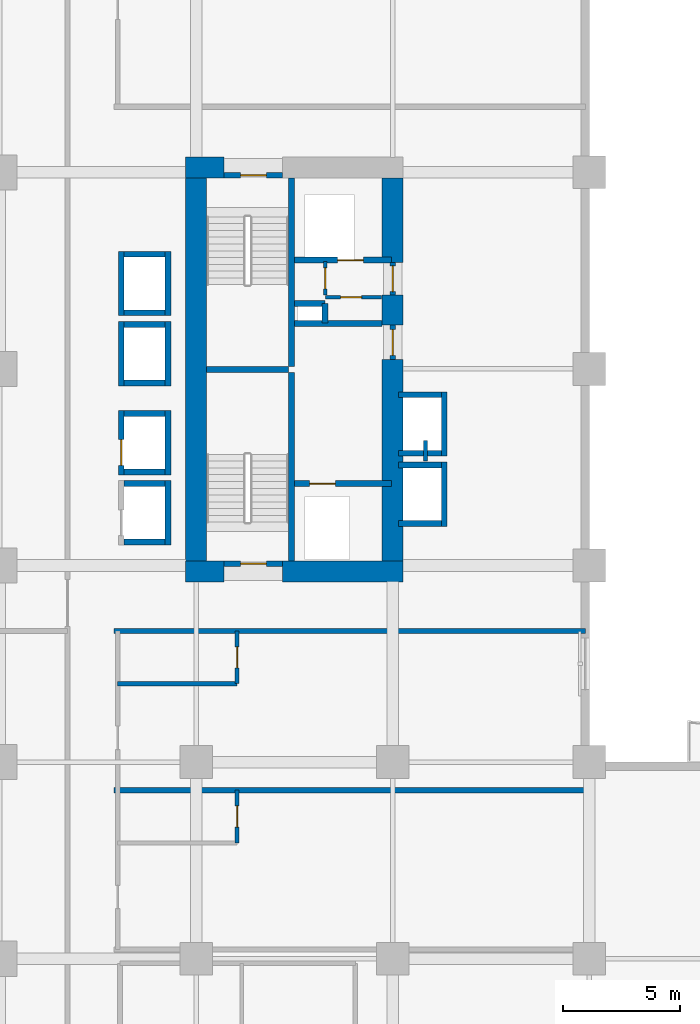
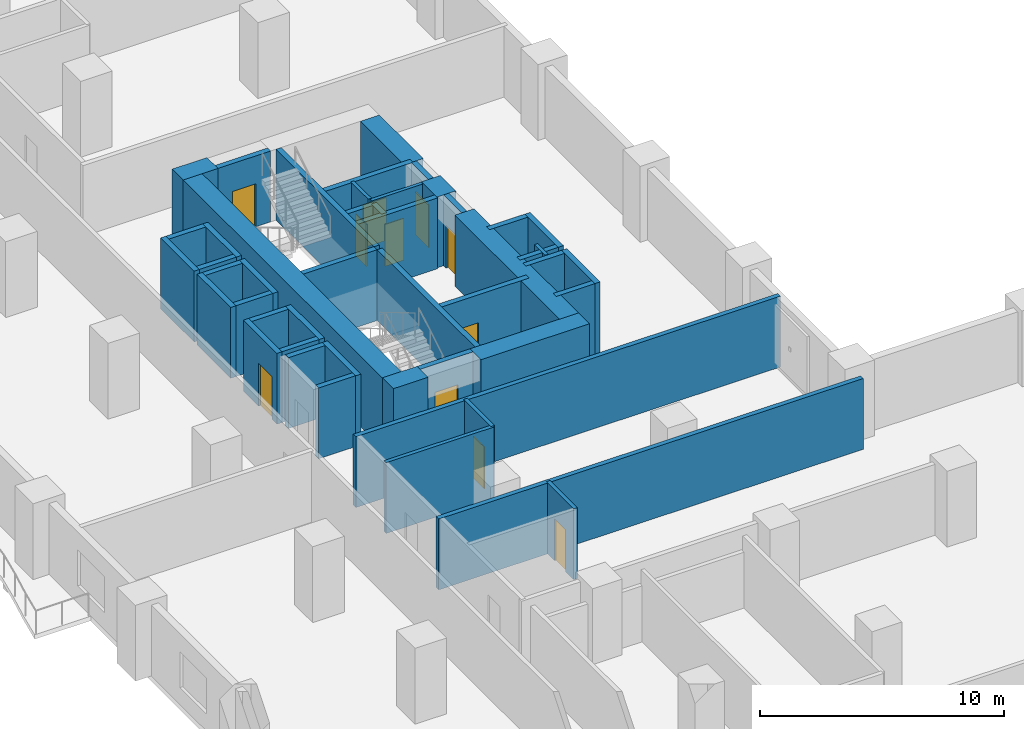
# One storey, part 8 of 18: 48 walls, 11 doors, 11 openings.
"""IFC4 building model written with IfcOpenShell, lengths in metres."""

from ifc_helpers import new_model, si_unit, direction, frame, frame_2d, origin, place, context, subcontext, project, spatial, rectangle, extrude, material, layer, layer_set, type_object, element, fill, save


model = new_model("IFC4")

# Units and contexts
model_context = context("Model", 3, precision=1e-05, world=origin(), true_north=direction((0.0, 1.0)))
body_context = subcontext(model_context, "Body", "Model", "MODEL_VIEW")
ifc_project = project(units=[si_unit("LENGTHUNIT", "METRE"), si_unit("AREAUNIT", "SQUARE_METRE"), si_unit("VOLUMEUNIT", "CUBIC_METRE"), si_unit("PLANEANGLEUNIT", "RADIAN"), si_unit("MASSUNIT", "GRAM", prefix="KILO")], contexts=[model_context])

# Site, building, storey
site_placement = place(None, origin())
site = spatial("IfcSite", under=ifc_project, at=site_placement, CompositionType="ELEMENT")
building_placement = place(site_placement, origin())
building = spatial("IfcBuilding", under=site, at=building_placement, Name="Koriwani Terraces Tower", CompositionType="ELEMENT")
storey_placement = place(building_placement, frame((0.0, 0.0, 81.39990234375)))
storey = spatial("IfcBuildingStorey", under=building, at=storey_placement, Name="L19", CompositionType="ELEMENT", Elevation=81.39990234375)

# Walls
ifc_material_1 = material(Name="Concrete C60/75", Category="concrete")
ifc_layer_1 = layer(ifc_material_1, 0.89990234375, Name="Concrete C60/75")
ifc_layer_set_1 = layer_set([ifc_layer_1], Name="Concrete C60/75")
wall_type_1 = type_object("IfcWallType", Name="WALL_CORE_RC_900", PredefinedType="SHEAR", material=ifc_layer_set_1)
wall_1_placement = place(storey_placement, frame((16.35009765625, 41.75, 0.0), z_axis=(0.0, 0.0, 1.0), x_axis=(1.0, 0.0, 0.0)))
element("IfcWall", 1, at=wall_1_placement, inside=storey, type_object=wall_type_1, Name="L19 West Split Core Shear Wall S1", PredefinedType="SHEAR", context=body_context, shape_type="SweptSolid", body=[
    extrude(rectangle(XDim=1.64990234375, YDim=0.89990234375, at=frame_2d((0.824951171875, 0.0))), origin(), (0.0, 0.0, 1.0), 3.550048828125),
])
wall_2_placement = place(storey_placement, frame((20.5, 41.75, 0.0), z_axis=(0.0, 0.0, 1.0), x_axis=(1.0, 0.0, 0.0)))
element("IfcWall", 2, at=wall_2_placement, inside=storey, type_object=wall_type_1, Name="L19 West Split Core Shear Wall S2", PredefinedType="SHEAR", context=body_context, shape_type="SweptSolid", body=[
    extrude(rectangle(XDim=5.14990234375, YDim=0.89990234375, at=frame_2d((2.574951171875, 0.0))), origin(), (0.0, 0.0, 1.0), 3.550048828125),
])
wall_3_placement = place(storey_placement, frame((16.35009765625, 59.0, 0.0), z_axis=(0.0, 0.0, 1.0), x_axis=(1.0, 0.0, 0.0)))
element("IfcWall", 3, at=wall_3_placement, inside=storey, type_object=wall_type_1, Name="L19 West Split Core Shear Wall N1", PredefinedType="SHEAR", context=body_context, shape_type="SweptSolid", body=[
    extrude(rectangle(XDim=1.64990234375, YDim=0.89990234375, at=frame_2d((0.824951171875, 0.0))), origin(), (0.0, 0.0, 1.0), 3.550048828125),
])
wall_4_placement = place(storey_placement, frame((16.800048828125, 42.199951171875, 0.0), z_axis=(0.0, 0.0, 1.0), x_axis=(0.0, 1.0, 0.0)))
element("IfcWall", 4, at=wall_4_placement, inside=storey, type_object=wall_type_1, Name="L19 West Split Core Shear Wall W1", PredefinedType="SHEAR", context=body_context, shape_type="SweptSolid", body=[
    extrude(rectangle(XDim=16.35009765625, YDim=0.89990234375, at=frame_2d((8.175048828125, 0.0))), origin(), (0.0, 0.0, 1.0), 3.550048828125),
])
wall_5_placement = place(storey_placement, frame((25.199951171875, 42.199951171875, 0.0), z_axis=(0.0, 0.0, 1.0), x_axis=(0.0, 1.0, 0.0)))
element("IfcWall", 5, at=wall_5_placement, inside=storey, type_object=wall_type_1, Name="L19 West Split Core Shear Wall E1", PredefinedType="SHEAR", context=body_context, shape_type="SweptSolid", body=[
    extrude(rectangle(XDim=8.60009765625, YDim=0.89990234375, at=frame_2d((4.300048828125, 0.0))), origin(), (0.0, 0.0, 1.0), 3.550048828125),
])
wall_6_placement = place(storey_placement, frame((25.199951171875, 52.280029296875, 0.0), z_axis=(0.0, 0.0, 1.0), x_axis=(0.0, 1.0, 0.0)))
element("IfcWall", 6, at=wall_6_placement, inside=storey, type_object=wall_type_1, Name="L19 West Split Core Shear Wall E2", PredefinedType="SHEAR", context=body_context, shape_type="SweptSolid", body=[
    extrude(rectangle(XDim=1.27001953125, YDim=0.89990234375, at=frame_2d((0.635009765625, 0.0))), origin(), (0.0, 0.0, 1.0), 3.550048828125),
])
wall_7_placement = place(storey_placement, frame((25.199951171875, 54.949951171875, 0.0), z_axis=(0.0, 0.0, 1.0), x_axis=(0.0, 1.0, 0.0)))
element("IfcWall", 7, at=wall_7_placement, inside=storey, type_object=wall_type_1, Name="L19 West Split Core Shear Wall E3", PredefinedType="SHEAR", context=body_context, shape_type="SweptSolid", body=[
    extrude(rectangle(XDim=3.60009765625, YDim=0.89990234375, at=frame_2d((1.800048828125, 0.0))), origin(), (0.0, 0.0, 1.0), 3.550048828125),
])
ifc_material_2 = material(Name="Autoclaved Cellular Concrete Blockwork", Category="masonry")
ifc_layer_2 = layer(ifc_material_2, 0.219970703125, Name="Autoclaved Cellular Concrete Blockwork")
ifc_layer_set_2 = layer_set([ifc_layer_2], Name="Autoclaved Cellular Concrete Blockwork")
wall_type_2 = type_object("IfcWallType", Name="WALL_DEMISING_220", PredefinedType="PARTITIONING", material=ifc_layer_set_2)
for number, where, z_axis, x_axis, name in (
    (8, (13.300048828125, 32.39990234375, 0.0), (0.0, 0.0, 1.0), (1.0, 0.0, 0.0), "L19 Interior Wall WDEM-L19-NWI-1"),
    (9, (13.300048828125, 39.199951171875, 0.0), (0.0, 0.0, 1.0), (1.0, 0.0, 0.0), "L19 Interior Wall WDEME-L19-NWI"),
):
    element("IfcWall", number, at=place(storey_placement, frame(where, z_axis=z_axis, x_axis=x_axis)), inside=storey, type_object=wall_type_2, Name=name, PredefinedType="PARTITIONING", context=body_context, shape_type="SweptSolid", body=[
        extrude(rectangle(XDim=20.1298828125, YDim=0.219970703125, at=frame_2d((10.06494140625, 0.0))), origin(), (0.0, 0.0, 1.0), 3.550048828125),
    ])

# Wall, opening, door
ifc_material_3 = material(Name="Fire-Rated Acoustic Gypsum Partition", Category="masonry")
ifc_layer_3 = layer(ifc_material_3, 0.179931640625, Name="Fire-Rated Acoustic Gypsum Partition")
ifc_layer_set_3 = layer_set([ifc_layer_3], Name="Fire-Rated Acoustic Gypsum Partition")
wall_type_3 = type_object("IfcWallType", Name="WALL_PLUMBING_180", PredefinedType="PLUMBINGWALL", material=ifc_layer_set_3)
wall_8_placement = place(storey_placement, frame((18.550048828125, 30.14990234375, 0.0), z_axis=(0.0, 0.0, 1.0), x_axis=(0.0, 1.0, 0.0)))
wall_8 = element("IfcWall", 10, at=wall_8_placement, inside=storey, type_object=wall_type_3, Name="L19 Interior Wall WBTH1-L19-NWI-0", PredefinedType="PLUMBINGWALL", context=body_context, shape_type="SweptSolid", body=[
    extrude(rectangle(XDim=2.25, YDim=0.179931640625, at=frame_2d((1.125, 0.0))), origin(), (0.0, 0.0, 1.0), 3.550048828125),
])
opening_1_placement = place(wall_8_placement, frame((0.675048828125, 0.0, 0.0)))
opening_1 = element("IfcOpeningElement", 11, at=opening_1_placement, cuts=wall_8, Name="Opening D-07", PredefinedType="OPENING", context=body_context, shape_type="SweptSolid", body=[
    extrude(rectangle(XDim=0.89990234375, YDim=2.10009765625, at=frame_2d((0.449951171875, 1.050048828125))), frame((0.0, 0.10009765625, 0.0), z_axis=(0.0, -1.0, 0.0), x_axis=(1.0, 0.0, 0.0)), (0.0, 0.0, 1.0), 0.199951171875),
])
ifc_material_4 = material(Name="Architectural Oak Fire Door", Category="wood")
door_type_1 = type_object("IfcDoorType", Name="DOOR_BATH_INT_900X2100", OperationType="NOTDEFINED", PredefinedType="DOOR", material=ifc_material_4)
door_1_placement = place(opening_1_placement, origin())
door_1 = element("IfcDoor", 12, at=door_1_placement, inside=storey, type_object=door_type_1, Name="En-Suite Bathroom 19NWI1 Door", OperationType="SINGLE_SWING_RIGHT", OverallHeight=2.10009765625, OverallWidth=0.89990234375, PredefinedType="DOOR", context=body_context, shape_type="SweptSolid", body=[
    extrude(rectangle(XDim=0.89990234375, YDim=2.10009765625, at=frame_2d((0.449951171875, 1.050048828125))), frame((0.0, 0.02490234375, 0.0), z_axis=(0.0, -1.0, 0.0), x_axis=(1.0, 0.0, 0.0)), (0.0, 0.0, 1.0), 0.050048828125),
])
fill(opening_1, door_1)

wall_9_placement = place(storey_placement, frame((18.550048828125, 36.949951171875, 0.0), z_axis=(0.0, 0.0, 1.0), x_axis=(0.0, 1.0, 0.0)))
wall_9 = element("IfcWall", 13, at=wall_9_placement, inside=storey, type_object=wall_type_3, Name="L19 Interior Wall WBTH1-L19-NWI-1", PredefinedType="PLUMBINGWALL", context=body_context, shape_type="SweptSolid", body=[
    extrude(rectangle(XDim=2.25, YDim=0.179931640625, at=frame_2d((1.125, 0.0))), origin(), (0.0, 0.0, 1.0), 3.550048828125),
])
opening_2_placement = place(wall_9_placement, frame((0.675048828125, 0.0, 0.0)))
opening_2 = element("IfcOpeningElement", 14, at=opening_2_placement, cuts=wall_9, Name="Opening D-07", PredefinedType="OPENING", context=body_context, shape_type="SweptSolid", body=[
    extrude(rectangle(XDim=0.89990234375, YDim=2.10009765625, at=frame_2d((0.449951171875, 1.050048828125))), frame((0.0, 0.10009765625, 0.0), z_axis=(0.0, -1.0, 0.0), x_axis=(1.0, 0.0, 0.0)), (0.0, 0.0, 1.0), 0.199951171875),
])
door_2_placement = place(opening_2_placement, origin())
door_2 = element("IfcDoor", 15, at=door_2_placement, inside=storey, type_object=door_type_1, Name="En-Suite Bathroom 19NWI2 Door", OperationType="SINGLE_SWING_RIGHT", OverallHeight=2.10009765625, OverallWidth=0.89990234375, PredefinedType="DOOR", context=body_context, shape_type="SweptSolid", body=[
    extrude(rectangle(XDim=0.89990234375, YDim=2.10009765625, at=frame_2d((0.449951171875, 1.050048828125))), frame((0.0, 0.02490234375, 0.0), z_axis=(0.0, -1.0, 0.0), x_axis=(1.0, 0.0, 0.0)), (0.0, 0.0, 1.0), 0.050048828125),
])
fill(opening_2, door_2)

# Walls
wall_10_placement = place(storey_placement, frame((13.449951171875, 36.949951171875, 0.0), z_axis=(0.0, 0.0, 1.0), x_axis=(1.0, 0.0, 0.0)))
element("IfcWall", 16, at=wall_10_placement, inside=storey, type_object=wall_type_3, Name="L19 Interior Wall WBTH2-L19-NWI-1", PredefinedType="PLUMBINGWALL", context=body_context, shape_type="SweptSolid", body=[
    extrude(rectangle(XDim=5.10009765625, YDim=0.179931640625, at=frame_2d((2.550048828125, 0.0))), origin(), (0.0, 0.0, 1.0), 3.550048828125),
])
ifc_material_5 = material(Name="Concrete C40/50", Category="concrete")
ifc_layer_4 = layer(ifc_material_5, 0.25, Name="Concrete C40/50")
ifc_layer_set_4 = layer_set([ifc_layer_4], Name="Concrete C40/50")
wall_type_4 = type_object("IfcWallType", Name="WALL_SHAFT_RATED_250", PredefinedType="SOLIDWALL", material=ifc_layer_set_4)
for number, where, z_axis, x_axis, name in (
    (17, (20.875, 42.199951171875, 0.0), (0.0, 0.0, 1.0), (0.0, 1.0, 0.0), "L19 West Split Core Web Wall MID1"),
    (18, (20.875, 50.5, 0.0), (0.0, 0.0, 1.0), (0.0, 1.0, 0.0), "L19 West Split Core Web Wall MID2"),
):
    element("IfcWall", number, at=place(storey_placement, frame(where, z_axis=z_axis, x_axis=x_axis)), inside=storey, type_object=wall_type_4, Name=name, PredefinedType="SOLIDWALL", context=body_context, shape_type="SweptSolid", body=[
        extrude(rectangle(XDim=8.050048828125, YDim=0.25, at=frame_2d((4.02490234375, 0.0))), origin(), (0.0, 0.0, 1.0), 3.550048828125),
    ])
wall_11_placement = place(storey_placement, frame((17.25, 50.375, 0.0), z_axis=(0.0, 0.0, 1.0), x_axis=(1.0, 0.0, 0.0)))
element("IfcWall", 19, at=wall_11_placement, inside=storey, type_object=wall_type_4, Name="L19 West Split Core Stair Dividing Wall", PredefinedType="SOLIDWALL", context=body_context, shape_type="SweptSolid", body=[
    extrude(rectangle(XDim=3.5, YDim=0.25, at=frame_2d((1.75, 0.0))), origin(), (0.0, 0.0, 1.0), 3.550048828125),
])

# Wall, opening, door
wall_12_placement = place(storey_placement, frame((18.0, 42.074951171875, 0.0), z_axis=(0.0, 0.0, 1.0), x_axis=(1.0, 0.0, 0.0)))
wall_12 = element("IfcWall", 20, at=wall_12_placement, inside=storey, type_object=wall_type_4, Name="L19 Interior Wall WIN-CW-L19-STS", PredefinedType="SOLIDWALL", context=body_context, shape_type="SweptSolid", body=[
    extrude(rectangle(XDim=2.5, YDim=0.25, at=frame_2d((1.25, 0.0))), origin(), (0.0, 0.0, 1.0), 3.550048828125),
])
opening_3_placement = place(wall_12_placement, frame((0.699951171875, 0.0, 0.0)))
opening_3 = element("IfcOpeningElement", 21, at=opening_3_placement, cuts=wall_12, Name="Opening D-03", PredefinedType="OPENING", context=body_context, shape_type="SweptSolid", body=[
    extrude(rectangle(XDim=1.10009765625, YDim=2.14990234375, at=frame_2d((0.550048828125, 1.074951171875))), frame((0.0, 0.135009765625, 0.0), z_axis=(0.0, -1.0, 0.0), x_axis=(1.0, 0.0, 0.0)), (0.0, 0.0, 1.0), 0.27001953125),
])
ifc_material_6 = material(Name="Steel ASTM A572 Grade 50", Category="steel")
door_type_2 = type_object("IfcDoorType", Name="DOOR_STAIR_FIRE_1100X2150", OperationType="NOTDEFINED", PredefinedType="DOOR", material=ifc_material_6)
door_3_placement = place(opening_3_placement, origin())
door_3 = element("IfcDoor", 22, at=door_3_placement, inside=storey, type_object=door_type_2, Name="L19 Exit Stair ST-W1 Door", OperationType="SINGLE_SWING_LEFT", OverallHeight=2.14990234375, OverallWidth=1.10009765625, PredefinedType="DOOR", context=body_context, shape_type="SweptSolid", body=[
    extrude(rectangle(XDim=1.10009765625, YDim=2.14990234375, at=frame_2d((0.550048828125, 1.074951171875))), frame((0.0, 0.02490234375, 0.0), z_axis=(0.0, -1.0, 0.0), x_axis=(1.0, 0.0, 0.0)), (0.0, 0.0, 1.0), 0.050048828125),
])
fill(opening_3, door_3)

wall_13_placement = place(storey_placement, frame((18.0, 58.675048828125, 0.0), z_axis=(0.0, 0.0, 1.0), x_axis=(1.0, 0.0, 0.0)))
wall_13 = element("IfcWall", 23, at=wall_13_placement, inside=storey, type_object=wall_type_4, Name="L19 Interior Wall WIN-CW-L19-STN", PredefinedType="SOLIDWALL", context=body_context, shape_type="SweptSolid", body=[
    extrude(rectangle(XDim=2.5, YDim=0.25, at=frame_2d((1.25, 0.0))), origin(), (0.0, 0.0, 1.0), 3.550048828125),
])
opening_4_placement = place(wall_13_placement, frame((0.699951171875, 0.0, 0.0)))
opening_4 = element("IfcOpeningElement", 24, at=opening_4_placement, cuts=wall_13, Name="Opening D-03", PredefinedType="OPENING", context=body_context, shape_type="SweptSolid", body=[
    extrude(rectangle(XDim=1.10009765625, YDim=2.14990234375, at=frame_2d((0.550048828125, 1.074951171875))), frame((0.0, 0.135009765625, 0.0), z_axis=(0.0, -1.0, 0.0), x_axis=(1.0, 0.0, 0.0)), (0.0, 0.0, 1.0), 0.27001953125),
])
door_4_placement = place(opening_4_placement, origin())
door_4 = element("IfcDoor", 25, at=door_4_placement, inside=storey, type_object=door_type_2, Name="L19 Exit Stair ST-W2 Door", OperationType="SINGLE_SWING_RIGHT", OverallHeight=2.14990234375, OverallWidth=1.10009765625, PredefinedType="DOOR", context=body_context, shape_type="SweptSolid", body=[
    extrude(rectangle(XDim=1.10009765625, YDim=2.14990234375, at=frame_2d((0.550048828125, 1.074951171875))), frame((0.0, 0.02490234375, 0.0), z_axis=(0.0, -1.0, 0.0), x_axis=(1.0, 0.0, 0.0)), (0.0, 0.0, 1.0), 0.050048828125),
])
fill(opening_4, door_4)

wall_14_placement = place(storey_placement, frame((21.0, 45.5, 0.0), z_axis=(0.0, 0.0, 1.0), x_axis=(1.0, 0.0, 0.0)))
wall_14 = element("IfcWall", 26, at=wall_14_placement, inside=storey, type_object=wall_type_4, Name="L19 Interior Wall WIN-CW-L19-FE", PredefinedType="SOLIDWALL", context=body_context, shape_type="SweptSolid", body=[
    extrude(rectangle(XDim=4.14990234375, YDim=0.25, at=frame_2d((2.074951171875, 0.0))), origin(), (0.0, 0.0, 1.0), 3.550048828125),
])
opening_5_placement = place(wall_14_placement, frame((0.64990234375, 0.0, 0.0)))
opening_5 = element("IfcOpeningElement", 27, at=opening_5_placement, cuts=wall_14, Name="Opening LD-01", PredefinedType="OPENING", context=body_context, shape_type="SweptSolid", body=[
    extrude(rectangle(XDim=1.10009765625, YDim=2.14990234375, at=frame_2d((0.550048828125, 1.074951171875))), frame((0.0, 0.135009765625, 0.0), z_axis=(0.0, -1.0, 0.0), x_axis=(1.0, 0.0, 0.0)), (0.0, 0.0, 1.0), 0.27001953125),
])
door_type_3 = type_object("IfcDoorType", Name="DOOR_LIFT_LANDING_1100X2200", OperationType="NOTDEFINED", PredefinedType="DOOR", material=ifc_material_6)
door_5_placement = place(opening_5_placement, origin())
door_5 = element("IfcDoor", 28, at=door_5_placement, inside=storey, type_object=door_type_3, Name="L19 Firefighting Lift FE-01 Landing Door", OperationType="SLIDING_TO_LEFT", OverallHeight=2.14990234375, OverallWidth=1.10009765625, PredefinedType="DOOR", context=body_context, shape_type="SweptSolid", body=[
    extrude(rectangle(XDim=1.10009765625, YDim=2.14990234375, at=frame_2d((0.550048828125, 1.074951171875))), frame((0.0, 0.02490234375, 0.0), z_axis=(0.0, -1.0, 0.0), x_axis=(1.0, 0.0, 0.0)), (0.0, 0.0, 1.0), 0.050048828125),
])
fill(opening_5, door_5)

wall_15_placement = place(storey_placement, frame((25.199951171875, 50.800048828125, 0.0), z_axis=(0.0, 0.0, 1.0), x_axis=(0.0, 1.0, 0.0)))
wall_15 = element("IfcWall", 29, at=wall_15_placement, inside=storey, type_object=wall_type_4, Name="L19 Interior Wall WIN-CW-L19-EP", PredefinedType="SOLIDWALL", context=body_context, shape_type="SweptSolid", body=[
    extrude(rectangle(XDim=1.47998046875, YDim=0.25, at=frame_2d((0.739990234375, 0.0))), origin(), (0.0, 0.0, 1.0), 3.550048828125),
])
opening_6_placement = place(wall_15_placement, frame((0.179931640625, 0.0, 0.0)))
opening_6 = element("IfcOpeningElement", 30, at=opening_6_placement, cuts=wall_15, Name="Opening D-03", PredefinedType="OPENING", context=body_context, shape_type="SweptSolid", body=[
    extrude(rectangle(XDim=1.10009765625, YDim=2.14990234375, at=frame_2d((0.550048828125, 1.074951171875))), frame((0.0, 0.135009765625, 0.0), z_axis=(0.0, -1.0, 0.0), x_axis=(1.0, 0.0, 0.0)), (0.0, 0.0, 1.0), 0.27001953125),
])
door_6_placement = place(opening_6_placement, origin())
door_6 = element("IfcDoor", 31, at=door_6_placement, inside=storey, type_object=door_type_2, Name="L19 West Firefighting Lobby Door", OperationType="SINGLE_SWING_LEFT", OverallHeight=2.14990234375, OverallWidth=1.10009765625, PredefinedType="DOOR", context=body_context, shape_type="SweptSolid", body=[
    extrude(rectangle(XDim=1.10009765625, YDim=2.14990234375, at=frame_2d((0.550048828125, 1.074951171875))), frame((0.0, 0.02490234375, 0.0), z_axis=(0.0, -1.0, 0.0), x_axis=(1.0, 0.0, 0.0)), (0.0, 0.0, 1.0), 0.050048828125),
])
fill(opening_6, door_6)

# Wall
wall_16_placement = place(storey_placement, frame((21.0, 52.340087890625, 0.0), z_axis=(0.0, 0.0, 1.0), x_axis=(1.0, 0.0, 0.0)))
element("IfcWall", 32, at=wall_16_placement, inside=storey, type_object=wall_type_4, Name="L19 Interior Wall WIN-CW-L19-FFN", PredefinedType="SOLIDWALL", context=body_context, shape_type="SweptSolid", body=[
    extrude(rectangle(XDim=3.75, YDim=0.25, at=frame_2d((1.875, 0.0))), origin(), (0.0, 0.0, 1.0), 3.550048828125),
])

# Wall, opening, door
wall_17_placement = place(storey_placement, frame((21.0, 55.050048828125, 0.0), z_axis=(0.0, 0.0, 1.0), x_axis=(1.0, 0.0, 0.0)))
wall_17 = element("IfcWall", 33, at=wall_17_placement, inside=storey, type_object=wall_type_4, Name="L19 Interior Wall WIN-CW-L19-SE", PredefinedType="SOLIDWALL", context=body_context, shape_type="SweptSolid", body=[
    extrude(rectangle(XDim=4.14990234375, YDim=0.25, at=frame_2d((2.074951171875, 0.0))), origin(), (0.0, 0.0, 1.0), 3.550048828125),
])
opening_7_placement = place(wall_17_placement, frame((1.85009765625, 0.0, 0.0)))
opening_7 = element("IfcOpeningElement", 34, at=opening_7_placement, cuts=wall_17, Name="Opening LD-01", PredefinedType="OPENING", context=body_context, shape_type="SweptSolid", body=[
    extrude(rectangle(XDim=1.10009765625, YDim=2.14990234375, at=frame_2d((0.550048828125, 1.074951171875))), frame((0.0, 0.135009765625, 0.0), z_axis=(0.0, -1.0, 0.0), x_axis=(1.0, 0.0, 0.0)), (0.0, 0.0, 1.0), 0.27001953125),
])
door_7_placement = place(opening_7_placement, origin())
door_7 = element("IfcDoor", 35, at=door_7_placement, inside=storey, type_object=door_type_3, Name="L19 Goods Lift SE-01 Landing Door", OperationType="SLIDING_TO_LEFT", OverallHeight=2.14990234375, OverallWidth=1.10009765625, PredefinedType="DOOR", context=body_context, shape_type="SweptSolid", body=[
    extrude(rectangle(XDim=1.10009765625, YDim=2.14990234375, at=frame_2d((0.550048828125, 1.074951171875))), frame((0.0, 0.02490234375, 0.0), z_axis=(0.0, -1.0, 0.0), x_axis=(1.0, 0.0, 0.0)), (0.0, 0.0, 1.0), 0.050048828125),
])
fill(opening_7, door_7)

wall_18_placement = place(storey_placement, frame((25.199951171875, 53.550048828125, 0.0), z_axis=(0.0, 0.0, 1.0), x_axis=(0.0, 1.0, 0.0)))
wall_18 = element("IfcWall", 36, at=wall_18_placement, inside=storey, type_object=wall_type_4, Name="L19 Interior Wall WIN-CW-L19-EP2", PredefinedType="SOLIDWALL", context=body_context, shape_type="SweptSolid", body=[
    extrude(rectangle(XDim=1.39990234375, YDim=0.25, at=frame_2d((0.699951171875, 0.0))), origin(), (0.0, 0.0, 1.0), 3.550048828125),
])
opening_8_placement = place(wall_18_placement, frame((0.14990234375, 0.0, 0.0)))
opening_8 = element("IfcOpeningElement", 37, at=opening_8_placement, cuts=wall_18, Name="Opening D-03", PredefinedType="OPENING", context=body_context, shape_type="SweptSolid", body=[
    extrude(rectangle(XDim=1.10009765625, YDim=2.14990234375, at=frame_2d((0.550048828125, 1.074951171875))), frame((0.0, 0.135009765625, 0.0), z_axis=(0.0, -1.0, 0.0), x_axis=(1.0, 0.0, 0.0)), (0.0, 0.0, 1.0), 0.27001953125),
])
door_8_placement = place(opening_8_placement, origin())
door_8 = element("IfcDoor", 38, at=door_8_placement, inside=storey, type_object=door_type_2, Name="L19 West Goods Lift Lobby Door", OperationType="SINGLE_SWING_RIGHT", OverallHeight=2.14990234375, OverallWidth=1.10009765625, PredefinedType="DOOR", context=body_context, shape_type="SweptSolid", body=[
    extrude(rectangle(XDim=1.10009765625, YDim=2.14990234375, at=frame_2d((0.550048828125, 1.074951171875))), frame((0.0, 0.02490234375, 0.0), z_axis=(0.0, -1.0, 0.0), x_axis=(1.0, 0.0, 0.0)), (0.0, 0.0, 1.0), 0.050048828125),
])
fill(opening_8, door_8)

# Walls
wall_19_placement = place(storey_placement, frame((21.0, 53.199951171875, 0.0), z_axis=(0.0, 0.0, 1.0), x_axis=(1.0, 0.0, 0.0)))
element("IfcWall", 39, at=wall_19_placement, inside=storey, type_object=wall_type_4, Name="L19 Interior Wall WIN-CW-L19-RS1", PredefinedType="SOLIDWALL", context=body_context, shape_type="SweptSolid", body=[
    extrude(rectangle(XDim=1.300048828125, YDim=0.25, at=frame_2d((0.64990234375, 0.0))), origin(), (0.0, 0.0, 1.0), 3.550048828125),
])
wall_20_placement = place(storey_placement, frame((22.300048828125, 52.360107421875, 0.0), z_axis=(0.0, 0.0, 1.0), x_axis=(0.0, 1.0, 0.0)))
element("IfcWall", 40, at=wall_20_placement, inside=storey, type_object=wall_type_4, Name="L19 Interior Wall WIN-CW-L19-RS2", PredefinedType="SOLIDWALL", context=body_context, shape_type="SweptSolid", body=[
    extrude(rectangle(XDim=0.83984375, YDim=0.25, at=frame_2d((0.419921875, 0.0))), origin(), (0.0, 0.0, 1.0), 3.550048828125),
])
wall_21_placement = place(storey_placement, frame((15.60009765625, 42.875, 0.0), z_axis=(0.0, 0.0, 1.0), x_axis=(0.0, 1.0, 0.0)))
element("IfcWall", 41, at=wall_21_placement, inside=storey, type_object=wall_type_4, Name="L19 Interior Wall WIN-LF-PE-L1-L19-B", PredefinedType="SOLIDWALL", context=body_context, shape_type="SweptSolid", body=[
    extrude(rectangle(XDim=2.75, YDim=0.25, at=frame_2d((1.375, 0.0))), origin(), (0.0, 0.0, 1.0), 3.550048828125),
])
for number, where, z_axis, x_axis, name in (
    (42, (13.72509765625, 43.0, 0.0), (0.0, 0.0, 1.0), (1.0, 0.0, 0.0), "L19 Interior Wall WIN-LF-PE-L1-L19-S"),
    (43, (13.72509765625, 45.5, 0.0), (0.0, 0.0, 1.0), (1.0, 0.0, 0.0), "L19 Interior Wall WIN-LF-PE-L1-L19-N"),
):
    element("IfcWall", number, at=place(storey_placement, frame(where, z_axis=z_axis, x_axis=x_axis)), inside=storey, type_object=wall_type_4, Name=name, PredefinedType="SOLIDWALL", context=body_context, shape_type="SweptSolid", body=[
        extrude(rectangle(XDim=1.75, YDim=0.25, at=frame_2d((0.875, 0.0))), origin(), (0.0, 0.0, 1.0), 3.550048828125),
    ])

# Wall, opening, door
wall_22_placement = place(storey_placement, frame((13.60009765625, 45.875, 0.0), z_axis=(0.0, 0.0, 1.0), x_axis=(0.0, 1.0, 0.0)))
wall_22 = element("IfcWall", 44, at=wall_22_placement, inside=storey, type_object=wall_type_4, Name="L19 Interior Wall WIN-LF-PE-L2-L19-F", PredefinedType="SOLIDWALL", context=body_context, shape_type="SweptSolid", body=[
    extrude(rectangle(XDim=2.75, YDim=0.25, at=frame_2d((1.375, 0.0))), origin(), (0.0, 0.0, 1.0), 3.550048828125),
])
opening_9_placement = place(wall_22_placement, frame((0.39990234375, 0.0, 0.0)))
opening_9 = element("IfcOpeningElement", 45, at=opening_9_placement, cuts=wall_22, Name="Opening LD-01", PredefinedType="OPENING", context=body_context, shape_type="SweptSolid", body=[
    extrude(rectangle(XDim=1.10009765625, YDim=2.14990234375, at=frame_2d((0.550048828125, 1.074951171875))), frame((0.0, 0.135009765625, 0.0), z_axis=(0.0, -1.0, 0.0), x_axis=(1.0, 0.0, 0.0)), (0.0, 0.0, 1.0), 0.27001953125),
])
door_9_placement = place(opening_9_placement, origin())
door_9 = element("IfcDoor", 46, at=door_9_placement, inside=storey, type_object=door_type_3, Name="L19 Passenger Lift PE-L2 Landing Door", OperationType="SLIDING_TO_LEFT", OverallHeight=2.14990234375, OverallWidth=1.10009765625, PredefinedType="DOOR", context=body_context, shape_type="SweptSolid", body=[
    extrude(rectangle(XDim=1.10009765625, YDim=2.14990234375, at=frame_2d((0.550048828125, 1.074951171875))), frame((0.0, 0.02490234375, 0.0), z_axis=(0.0, -1.0, 0.0), x_axis=(1.0, 0.0, 0.0)), (0.0, 0.0, 1.0), 0.050048828125),
])
fill(opening_9, door_9)

# Walls
wall_23_placement = place(storey_placement, frame((15.60009765625, 45.875, 0.0), z_axis=(0.0, 0.0, 1.0), x_axis=(0.0, 1.0, 0.0)))
element("IfcWall", 47, at=wall_23_placement, inside=storey, type_object=wall_type_4, Name="L19 Interior Wall WIN-LF-PE-L2-L19-B", PredefinedType="SOLIDWALL", context=body_context, shape_type="SweptSolid", body=[
    extrude(rectangle(XDim=2.75, YDim=0.25, at=frame_2d((1.375, 0.0))), origin(), (0.0, 0.0, 1.0), 3.550048828125),
])
for number, where, z_axis, x_axis, name in (
    (48, (13.72509765625, 46.0, 0.0), (0.0, 0.0, 1.0), (1.0, 0.0, 0.0), "L19 Interior Wall WIN-LF-PE-L2-L19-S"),
    (49, (13.72509765625, 48.5, 0.0), (0.0, 0.0, 1.0), (1.0, 0.0, 0.0), "L19 Interior Wall WIN-LF-PE-L2-L19-N"),
):
    element("IfcWall", number, at=place(storey_placement, frame(where, z_axis=z_axis, x_axis=x_axis)), inside=storey, type_object=wall_type_4, Name=name, PredefinedType="SOLIDWALL", context=body_context, shape_type="SweptSolid", body=[
        extrude(rectangle(XDim=1.75, YDim=0.25, at=frame_2d((0.875, 0.0))), origin(), (0.0, 0.0, 1.0), 3.550048828125),
    ])
for number, where, z_axis, x_axis, name in (
    (50, (13.60009765625, 49.675048828125, 0.0), (0.0, 0.0, 1.0), (0.0, 1.0, 0.0), "L19 Interior Wall WIN-LF-PE-M1-L19-F"),
    (51, (15.60009765625, 49.675048828125, 0.0), (0.0, 0.0, 1.0), (0.0, 1.0, 0.0), "L19 Interior Wall WIN-LF-PE-M1-L19-B"),
):
    element("IfcWall", number, at=place(storey_placement, frame(where, z_axis=z_axis, x_axis=x_axis)), inside=storey, type_object=wall_type_4, Name=name, PredefinedType="SOLIDWALL", context=body_context, shape_type="SweptSolid", body=[
        extrude(rectangle(XDim=2.75, YDim=0.25, at=frame_2d((1.375, 0.0))), origin(), (0.0, 0.0, 1.0), 3.550048828125),
    ])
for number, where, z_axis, x_axis, name in (
    (52, (13.72509765625, 49.800048828125, 0.0), (0.0, 0.0, 1.0), (1.0, 0.0, 0.0), "L19 Interior Wall WIN-LF-PE-M1-L19-S"),
    (53, (13.72509765625, 52.300048828125, 0.0), (0.0, 0.0, 1.0), (1.0, 0.0, 0.0), "L19 Interior Wall WIN-LF-PE-M1-L19-N"),
):
    element("IfcWall", number, at=place(storey_placement, frame(where, z_axis=z_axis, x_axis=x_axis)), inside=storey, type_object=wall_type_4, Name=name, PredefinedType="SOLIDWALL", context=body_context, shape_type="SweptSolid", body=[
        extrude(rectangle(XDim=1.75, YDim=0.25, at=frame_2d((0.875, 0.0))), origin(), (0.0, 0.0, 1.0), 3.550048828125),
    ])
for number, where, z_axis, x_axis, name in (
    (54, (13.60009765625, 52.675048828125, 0.0), (0.0, 0.0, 1.0), (0.0, 1.0, 0.0), "L19 Interior Wall WIN-LF-PE-M2-L19-F"),
    (55, (15.60009765625, 52.675048828125, 0.0), (0.0, 0.0, 1.0), (0.0, 1.0, 0.0), "L19 Interior Wall WIN-LF-PE-M2-L19-B"),
):
    element("IfcWall", number, at=place(storey_placement, frame(where, z_axis=z_axis, x_axis=x_axis)), inside=storey, type_object=wall_type_4, Name=name, PredefinedType="SOLIDWALL", context=body_context, shape_type="SweptSolid", body=[
        extrude(rectangle(XDim=2.75, YDim=0.25, at=frame_2d((1.375, 0.0))), origin(), (0.0, 0.0, 1.0), 3.550048828125),
    ])
for number, where, z_axis, x_axis, name in (
    (56, (13.72509765625, 52.800048828125, 0.0), (0.0, 0.0, 1.0), (1.0, 0.0, 0.0), "L19 Interior Wall WIN-LF-PE-M2-L19-S"),
    (57, (13.72509765625, 55.300048828125, 0.0), (0.0, 0.0, 1.0), (1.0, 0.0, 0.0), "L19 Interior Wall WIN-LF-PE-M2-L19-N"),
):
    element("IfcWall", number, at=place(storey_placement, frame(where, z_axis=z_axis, x_axis=x_axis)), inside=storey, type_object=wall_type_4, Name=name, PredefinedType="SOLIDWALL", context=body_context, shape_type="SweptSolid", body=[
        extrude(rectangle(XDim=1.75, YDim=0.25, at=frame_2d((0.875, 0.0))), origin(), (0.0, 0.0, 1.0), 3.550048828125),
    ])
wall_24_placement = place(storey_placement, frame((27.39990234375, 43.675048828125, 0.0), z_axis=(0.0, 0.0, 1.0), x_axis=(0.0, 1.0, 0.0)))
element("IfcWall", 58, at=wall_24_placement, inside=storey, type_object=wall_type_4, Name="L19 Interior Wall WIN-LF-PE-H1-L19-F", PredefinedType="SOLIDWALL", context=body_context, shape_type="SweptSolid", body=[
    extrude(rectangle(XDim=2.75, YDim=0.25, at=frame_2d((1.375, 0.0))), origin(), (0.0, 0.0, 1.0), 3.550048828125),
])
for number, where, z_axis, x_axis, name in (
    (59, (25.449951171875, 43.800048828125, 0.0), (0.0, 0.0, 1.0), (1.0, 0.0, 0.0), "L19 Interior Wall WIN-LF-PE-H1-L19-S"),
    (60, (25.449951171875, 46.300048828125, 0.0), (0.0, 0.0, 1.0), (1.0, 0.0, 0.0), "L19 Interior Wall WIN-LF-PE-H1-L19-N"),
):
    element("IfcWall", number, at=place(storey_placement, frame(where, z_axis=z_axis, x_axis=x_axis)), inside=storey, type_object=wall_type_4, Name=name, PredefinedType="SOLIDWALL", context=body_context, shape_type="SweptSolid", body=[
        extrude(rectangle(XDim=1.824951171875, YDim=0.25, at=frame_2d((0.91259765625, 0.0))), origin(), (0.0, 0.0, 1.0), 3.550048828125),
    ])
wall_25_placement = place(storey_placement, frame((27.39990234375, 46.675048828125, 0.0), z_axis=(0.0, 0.0, 1.0), x_axis=(0.0, 1.0, 0.0)))
element("IfcWall", 61, at=wall_25_placement, inside=storey, type_object=wall_type_4, Name="L19 Interior Wall WIN-LF-PE-H2-L19-F", PredefinedType="SOLIDWALL", context=body_context, shape_type="SweptSolid", body=[
    extrude(rectangle(XDim=2.75, YDim=0.25, at=frame_2d((1.375, 0.0))), origin(), (0.0, 0.0, 1.0), 3.550048828125),
])
for number, where, z_axis, x_axis, name in (
    (62, (25.449951171875, 46.800048828125, 0.0), (0.0, 0.0, 1.0), (1.0, 0.0, 0.0), "L19 Interior Wall WIN-LF-PE-H2-L19-S"),
    (63, (25.449951171875, 49.300048828125, 0.0), (0.0, 0.0, 1.0), (1.0, 0.0, 0.0), "L19 Interior Wall WIN-LF-PE-H2-L19-N"),
):
    element("IfcWall", number, at=place(storey_placement, frame(where, z_axis=z_axis, x_axis=x_axis)), inside=storey, type_object=wall_type_4, Name=name, PredefinedType="SOLIDWALL", context=body_context, shape_type="SweptSolid", body=[
        extrude(rectangle(XDim=1.824951171875, YDim=0.25, at=frame_2d((0.91259765625, 0.0))), origin(), (0.0, 0.0, 1.0), 3.550048828125),
    ])

# Wall, opening, door
ifc_layer_5 = layer(ifc_material_3, 0.159912109375, Name="Fire-Rated Acoustic Gypsum Partition")
ifc_layer_set_5 = layer_set([ifc_layer_5], Name="Fire-Rated Acoustic Gypsum Partition")
wall_type_5 = type_object("IfcWallType", Name="WALL_SUITE_160", PredefinedType="PARTITIONING", material=ifc_layer_set_5)
wall_26_placement = place(storey_placement, frame((22.320068359375, 53.56005859375, 0.0), z_axis=(0.0, 0.0, 1.0), x_axis=(0.0, 1.0, 0.0)))
wall_26 = element("IfcWall", 64, at=wall_26_placement, inside=storey, type_object=wall_type_5, Name="L19 Interior Wall WIN-CW-L19-SV1A", PredefinedType="PARTITIONING", context=body_context, shape_type="SweptSolid", body=[
    extrude(rectangle(XDim=1.43994140625, YDim=0.159912109375, at=frame_2d((0.719970703125, 0.0))), origin(), (0.0, 0.0, 1.0), 3.550048828125),
])
opening_10_placement = place(wall_26_placement, frame((0.260009765625, 0.0, 0.0)))
opening_10 = element("IfcOpeningElement", 65, at=opening_10_placement, cuts=wall_26, Name="Opening D-07", PredefinedType="OPENING", context=body_context, shape_type="SweptSolid", body=[
    extrude(rectangle(XDim=0.89990234375, YDim=2.10009765625, at=frame_2d((0.449951171875, 1.050048828125))), frame((0.0, 0.08984375, 0.0), z_axis=(0.0, -1.0, 0.0), x_axis=(1.0, 0.0, 0.0)), (0.0, 0.0, 1.0), 0.179931640625),
])
door_10_placement = place(opening_10_placement, origin())
door_10 = element("IfcDoor", 66, at=door_10_placement, inside=storey, type_object=door_type_1, Name="L19 West Telecom Room Door", OperationType="SINGLE_SWING_LEFT", OverallHeight=2.10009765625, OverallWidth=0.89990234375, PredefinedType="DOOR", context=body_context, shape_type="SweptSolid", body=[
    extrude(rectangle(XDim=0.89990234375, YDim=2.10009765625, at=frame_2d((0.449951171875, 1.050048828125))), frame((0.0, 0.02490234375, 0.0), z_axis=(0.0, -1.0, 0.0), x_axis=(1.0, 0.0, 0.0)), (0.0, 0.0, 1.0), 0.050048828125),
])
fill(opening_10, door_10)

wall_27_placement = place(storey_placement, frame((22.320068359375, 53.4599609375, 0.0), z_axis=(0.0, 0.0, 1.0), x_axis=(1.0, 0.0, 0.0)))
wall_27 = element("IfcWall", 67, at=wall_27_placement, inside=storey, type_object=wall_type_5, Name="L19 Interior Wall WIN-CW-L19-SV1B", PredefinedType="PARTITIONING", context=body_context, shape_type="SweptSolid", body=[
    extrude(rectangle(XDim=2.39990234375, YDim=0.159912109375, at=frame_2d((1.199951171875, 0.0))), origin(), (0.0, 0.0, 1.0), 3.550048828125),
])
opening_11_placement = place(wall_27_placement, frame((0.64990234375, 0.0, 0.0)))
opening_11 = element("IfcOpeningElement", 68, at=opening_11_placement, cuts=wall_27, Name="Opening D-07", PredefinedType="OPENING", context=body_context, shape_type="SweptSolid", body=[
    extrude(rectangle(XDim=0.89990234375, YDim=2.10009765625, at=frame_2d((0.449951171875, 1.050048828125))), frame((0.0, 0.08984375, 0.0), z_axis=(0.0, -1.0, 0.0), x_axis=(1.0, 0.0, 0.0)), (0.0, 0.0, 1.0), 0.179931640625),
])
door_11_placement = place(opening_11_placement, origin())
door_11 = element("IfcDoor", 69, at=door_11_placement, inside=storey, type_object=door_type_1, Name="L19 West Cleaners Closet Door", OperationType="SINGLE_SWING_RIGHT", OverallHeight=2.10009765625, OverallWidth=0.89990234375, PredefinedType="DOOR", context=body_context, shape_type="SweptSolid", body=[
    extrude(rectangle(XDim=0.89990234375, YDim=2.10009765625, at=frame_2d((0.449951171875, 1.050048828125))), frame((0.0, 0.02490234375, 0.0), z_axis=(0.0, -1.0, 0.0), x_axis=(1.0, 0.0, 0.0)), (0.0, 0.0, 1.0), 0.050048828125),
])
fill(opening_11, door_11)

# Wall
wall_28_placement = place(storey_placement, frame((26.60009765625, 46.4599609375, 0.0), z_axis=(0.0, 0.0, 1.0), x_axis=(0.0, 1.0, 0.0)))
element("IfcWall", 70, at=wall_28_placement, inside=storey, type_object=wall_type_5, Name="L19 Interior Wall WIN-LF-PEH12-MID-L19", PredefinedType="PARTITIONING", context=body_context, shape_type="SweptSolid", body=[
    extrude(rectangle(XDim=0.880126953125, YDim=0.159912109375, at=frame_2d((0.43994140625, 0.0))), origin(), (0.0, 0.0, 1.0), 3.550048828125),
])

save(model, "model.ifc")
